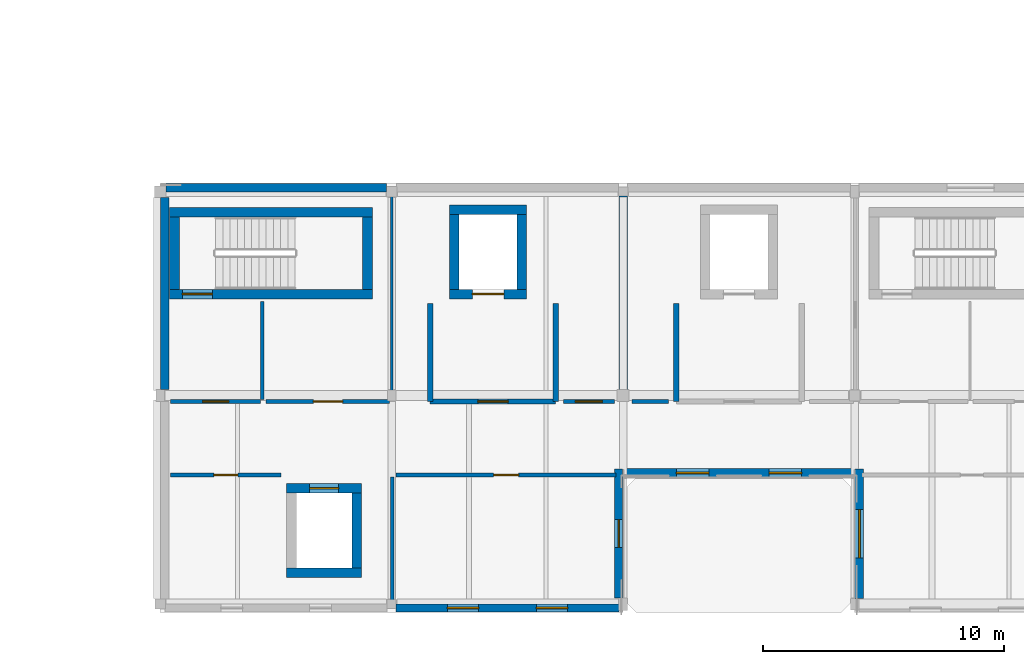
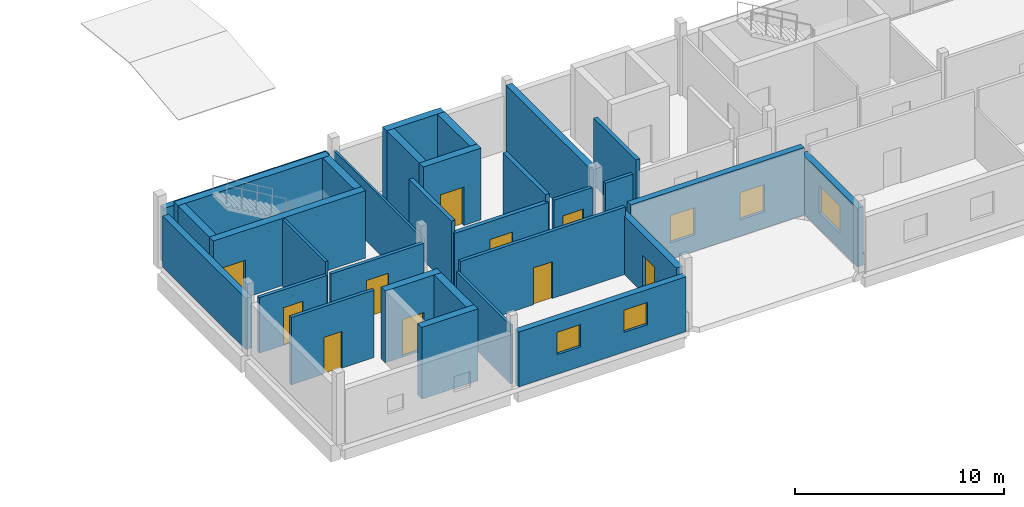
# One storey, part 14 of 23: 31 walls, 10 doors, 5 windows, 15 openings.
"""IFC4 building model written with IfcOpenShell, lengths in metres."""

from ifc_helpers import new_model, si_unit, direction, frame, frame_2d, origin, place, context, subcontext, project, spatial, rectangle, extrude, material, layer, layer_set, type_object, element, fill, save


model = new_model("IFC4")

# Units and contexts
model_context = context("Model", 3, precision=1e-05, world=origin(), true_north=direction((0.0, 1.0)))
body_context = subcontext(model_context, "Body", "Model", "MODEL_VIEW")
ifc_project = project(units=[si_unit("LENGTHUNIT", "METRE"), si_unit("AREAUNIT", "SQUARE_METRE"), si_unit("VOLUMEUNIT", "CUBIC_METRE"), si_unit("PLANEANGLEUNIT", "RADIAN"), si_unit("MASSUNIT", "GRAM", prefix="KILO")], contexts=[model_context])

# Site, building, storey
site_placement = place(None, origin())
site = spatial("IfcSite", under=ifc_project, at=site_placement, CompositionType="ELEMENT")
building_placement = place(site_placement, origin())
building = spatial("IfcBuilding", under=site, at=building_placement, Name="Birchvale Park Specialist Clinic", CompositionType="ELEMENT")
storey_placement = place(building_placement, frame((0.0, 0.0, 18.0)))
storey = spatial("IfcBuildingStorey", under=building, at=storey_placement, Name="L04", CompositionType="ELEMENT", Elevation=18.0)

# Wall, opening, door
ifc_material_1 = material(Name="Concrete C40/50", Category="concrete")
ifc_layer_1 = layer(ifc_material_1, 0.39990234375)
ifc_layer_set_1 = layer_set([ifc_layer_1], Name="Concrete C40/50")
wall_type_1 = type_object("IfcWallType", Name="WL-CW-120", PredefinedType="SHEAR", material=ifc_layer_set_1)
wall_1_placement = place(storey_placement, frame((61.800048828125, 30.0, 0.0), z_axis=(0.0, 0.0, 1.0), x_axis=(1.0, 0.0, 0.0)))
wall_1 = element("IfcWall", 1, at=wall_1_placement, inside=storey, type_object=wall_type_1, Name="L04 stair ST4 EI 120 enclosure wall (south)", PredefinedType="SHEAR", context=body_context, shape_type="SweptSolid", body=[
    extrude(rectangle(XDim=8.39990234375, YDim=0.39990234375, at=frame_2d((4.199951171875, 0.0))), origin(), (0.0, 0.0, 1.0), 3.93994140625),
])
opening_1_placement = place(wall_1_placement, frame((0.52001953125, 0.0, 0.0)))
opening_1 = element("IfcOpeningElement", 2, at=opening_1_placement, cuts=wall_1, Name="Opening ID-FD60", PredefinedType="OPENING", context=body_context, shape_type="SweptSolid", body=[
    extrude(rectangle(XDim=1.25, YDim=2.199951171875, at=frame_2d((0.625, 1.10009765625))), frame((0.0, 0.2099609375, 0.0), z_axis=(0.0, -1.0, 0.0), x_axis=(1.0, 0.0, 0.0)), (0.0, 0.0, 1.0), 0.419921875),
])
ifc_material_2 = material(Name="Solid-core birch veneer and anodised aluminium", Category="aluminium")
door_type_1 = type_object("IfcDoorType", Name="DR-ID-FD60", OperationType="NOTDEFINED", PredefinedType="DOOR", material=ifc_material_2)
door_1_placement = place(opening_1_placement, origin())
door_1 = element("IfcDoor", 3, at=door_1_placement, inside=storey, type_object=door_type_1, Name="L04 stair ST4 fire door", OperationType="SINGLE_SWING_LEFT", OverallHeight=2.199951171875, OverallWidth=1.25, PredefinedType="DOOR", context=body_context, shape_type="SweptSolid", body=[
    extrude(rectangle(XDim=1.25, YDim=2.199951171875, at=frame_2d((0.625, 1.10009765625))), frame((0.0, 0.02490234375, 0.0), z_axis=(0.0, -1.0, 0.0), x_axis=(1.0, 0.0, 0.0)), (0.0, 0.0, 1.0), 0.050048828125),
])
fill(opening_1, door_1)

# Walls
wall_2_placement = place(storey_placement, frame((70.199951171875, 33.39990234375, 0.0), z_axis=(0.0, 0.0, 1.0), x_axis=(-1.0, 0.0, 0.0)))
element("IfcWall", 4, at=wall_2_placement, inside=storey, type_object=wall_type_1, Name="L04 stair ST4 EI 120 enclosure wall (north)", PredefinedType="SHEAR", context=body_context, shape_type="SweptSolid", body=[
    extrude(rectangle(XDim=8.39990234375, YDim=0.39990234375, at=frame_2d((4.199951171875, 0.0))), origin(), (0.0, 0.0, 1.0), 3.93994140625),
])
for number, where, z_axis, x_axis, name in (
    (5, (62.0, 30.199951171875, 0.0), (0.0, 0.0, 1.0), (0.0, 1.0, 0.0), "L04 stair ST4 EI 120 enclosure wall (west)"),
    (6, (70.0, 33.199951171875, 0.0), (0.0, 0.0, 1.0), (0.0, -1.0, 0.0), "L04 stair ST4 EI 120 enclosure wall (east)"),
):
    element("IfcWall", number, at=place(storey_placement, frame(where, z_axis=z_axis, x_axis=x_axis)), inside=storey, type_object=wall_type_1, Name=name, PredefinedType="SHEAR", context=body_context, shape_type="SweptSolid", body=[
        extrude(rectangle(XDim=3.0, YDim=0.39990234375, at=frame_2d((1.5, 0.0))), origin(), (0.0, 0.0, 1.0), 3.93994140625),
    ])

# Wall, opening, door
wall_3_placement = place(storey_placement, frame((73.39990234375, 30.0, 0.0), z_axis=(0.0, 0.0, 1.0), x_axis=(1.0, 0.0, 0.0)))
wall_3 = element("IfcWall", 7, at=wall_3_placement, inside=storey, type_object=wall_type_1, Name="L04 lift LF1 shaft wall (south)", PredefinedType="SHEAR", context=body_context, shape_type="SweptSolid", body=[
    extrude(rectangle(XDim=3.2001953125, YDim=0.39990234375, at=frame_2d((1.60009765625, 0.0))), origin(), (0.0, 0.0, 1.0), 4.199951171875),
])
opening_2_placement = place(wall_3_placement, frame((0.949951171875, 0.0, 0.0)))
opening_2 = element("IfcOpeningElement", 8, at=opening_2_placement, cuts=wall_3, Name="Opening LD-02", PredefinedType="OPENING", context=body_context, shape_type="SweptSolid", body=[
    extrude(rectangle(XDim=1.300048828125, YDim=2.25, at=frame_2d((0.64990234375, 1.125))), frame((0.0, 0.2099609375, 0.0), z_axis=(0.0, -1.0, 0.0), x_axis=(1.0, 0.0, 0.0)), (0.0, 0.0, 1.0), 0.419921875),
])
door_type_2 = type_object("IfcDoorType", Name="DR-LD-02", OperationType="DOUBLE_DOOR_SLIDING", PredefinedType="DOOR", material=ifc_material_2)
door_2_placement = place(opening_2_placement, origin())
door_2 = element("IfcDoor", 9, at=door_2_placement, inside=storey, type_object=door_type_2, Name="L04 lift LF1 sliding landing door", OperationType="DOUBLE_DOOR_SLIDING", OverallHeight=2.25, OverallWidth=1.300048828125, PredefinedType="DOOR", context=body_context, shape_type="SweptSolid", body=[
    extrude(rectangle(XDim=1.300048828125, YDim=2.25, at=frame_2d((0.64990234375, 1.125))), frame((0.0, 0.02490234375, 0.0), z_axis=(0.0, -1.0, 0.0), x_axis=(1.0, 0.0, 0.0)), (0.0, 0.0, 1.0), 0.050048828125),
])
fill(opening_2, door_2)

# Walls
wall_4_placement = place(storey_placement, frame((76.60009765625, 33.5, 0.0), z_axis=(0.0, 0.0, 1.0), x_axis=(-1.0, 0.0, 0.0)))
element("IfcWall", 10, at=wall_4_placement, inside=storey, type_object=wall_type_1, Name="L04 lift LF1 shaft wall (north)", PredefinedType="SHEAR", context=body_context, shape_type="SweptSolid", body=[
    extrude(rectangle(XDim=3.2001953125, YDim=0.39990234375, at=frame_2d((1.60009765625, 0.0))), origin(), (0.0, 0.0, 1.0), 4.199951171875),
])
for number, where, z_axis, x_axis, name in (
    (11, (73.60009765625, 30.199951171875, 0.0), (0.0, 0.0, 1.0), (0.0, 1.0, 0.0), "L04 lift LF1 shaft wall (west)"),
    (12, (76.39990234375, 33.300048828125, 0.0), (0.0, 0.0, 1.0), (0.0, -1.0, 0.0), "L04 lift LF1 shaft wall (east)"),
    (13, (66.64990234375, 18.449951171875, 0.0), (0.0, 0.0, 1.0), (1.0, 0.0, 0.0), "L04 lift LP1 shaft wall (south)"),
):
    element("IfcWall", number, at=place(storey_placement, frame(where, z_axis=z_axis, x_axis=x_axis)), inside=storey, type_object=wall_type_1, Name=name, PredefinedType="SHEAR", context=body_context, shape_type="SweptSolid", body=[
        extrude(rectangle(XDim=3.10009765625, YDim=0.39990234375, at=frame_2d((1.550048828125, 0.0))), origin(), (0.0, 0.0, 1.0), 4.199951171875),
    ])

# Wall, opening, door
wall_5_placement = place(storey_placement, frame((69.75, 21.949951171875, 0.0), z_axis=(0.0, 0.0, 1.0), x_axis=(-1.0, 0.0, 0.0)))
wall_5 = element("IfcWall", 14, at=wall_5_placement, inside=storey, type_object=wall_type_1, Name="L04 lift LP1 shaft wall (north)", PredefinedType="SHEAR", context=body_context, shape_type="SweptSolid", body=[
    extrude(rectangle(XDim=3.10009765625, YDim=0.39990234375, at=frame_2d((1.550048828125, 0.0))), origin(), (0.0, 0.0, 1.0), 4.199951171875),
])
opening_3_placement = place(wall_5_placement, frame((0.949951171875, 0.0, 0.0)))
opening_3 = element("IfcOpeningElement", 15, at=opening_3_placement, cuts=wall_5, Name="Opening LD-01", PredefinedType="OPENING", context=body_context, shape_type="SweptSolid", body=[
    extrude(rectangle(XDim=1.199951171875, YDim=2.199951171875, at=frame_2d((0.60009765625, 1.10009765625))), frame((0.0, 0.2099609375, 0.0), z_axis=(0.0, -1.0, 0.0), x_axis=(1.0, 0.0, 0.0)), (0.0, 0.0, 1.0), 0.419921875),
])
door_type_3 = type_object("IfcDoorType", Name="DR-LD-01", OperationType="DOUBLE_DOOR_SLIDING", PredefinedType="DOOR", material=ifc_material_2)
door_3_placement = place(opening_3_placement, origin())
door_3 = element("IfcDoor", 16, at=door_3_placement, inside=storey, type_object=door_type_3, Name="L04 lift LP1 sliding landing door", OperationType="DOUBLE_DOOR_SLIDING", OverallHeight=2.199951171875, OverallWidth=1.199951171875, PredefinedType="DOOR", context=body_context, shape_type="SweptSolid", body=[
    extrude(rectangle(XDim=1.199951171875, YDim=2.199951171875, at=frame_2d((0.60009765625, 1.10009765625))), frame((0.0, 0.02490234375, 0.0), z_axis=(0.0, -1.0, 0.0), x_axis=(1.0, 0.0, 0.0)), (0.0, 0.0, 1.0), 0.050048828125),
])
fill(opening_3, door_3)

# Wall
wall_6_placement = place(storey_placement, frame((69.550048828125, 21.75, 0.0), z_axis=(0.0, 0.0, 1.0), x_axis=(0.0, -1.0, 0.0)))
element("IfcWall", 17, at=wall_6_placement, inside=storey, type_object=wall_type_1, Name="L04 lift LP1 shaft wall (east)", PredefinedType="SHEAR", context=body_context, shape_type="SweptSolid", body=[
    extrude(rectangle(XDim=3.10009765625, YDim=0.39990234375, at=frame_2d((1.550048828125, 0.0))), origin(), (0.0, 0.0, 1.0), 4.199951171875),
])

# Wall, openings, windows
ifc_material_3 = material(Name="Lime-white mineral-rendered insulated masonry", Category="masonry")
ifc_layer_2 = layer(ifc_material_3, 0.340087890625)
ifc_layer_set_2 = layer_set([ifc_layer_2], Name="Lime-white mineral-rendered insulated masonry")
wall_type_2 = type_object("IfcWallType", Name="WL-EW-01", PredefinedType="STANDARD", material=ifc_layer_set_2)
wall_7_placement = place(storey_placement, frame((71.18505859375, 16.989990234375, 0.0), z_axis=(0.0, 0.0, 1.0), x_axis=(1.0, 0.0, 0.0)))
wall_7 = element("IfcWall", 18, at=wall_7_placement, inside=storey, type_object=wall_type_2, Name="V4 L04 exterior facade wall 275", PredefinedType="STANDARD", context=body_context, shape_type="SweptSolid", body=[
    extrude(rectangle(XDim=9.23486328125, YDim=0.340087890625, at=frame_2d((4.617431640625, 0.0))), origin(), (0.0, 0.0, 1.0), 3.205078125),
])
opening_4_placement = place(wall_7_placement, frame((2.12060546875, 0.0, 1.14990234375)))
opening_4 = element("IfcOpeningElement", 19, at=opening_4_placement, cuts=wall_7, Name="Opening W-SQ13", PredefinedType="OPENING", context=body_context, shape_type="SweptSolid", body=[
    extrude(rectangle(XDim=1.300048828125, YDim=1.300048828125, at=frame_2d((0.64990234375, 0.64990234375))), frame((0.0, 0.18017578125, 0.0), z_axis=(0.0, -1.0, 0.0), x_axis=(1.0, 0.0, 0.0)), (0.0, 0.0, 1.0), 0.360107421875),
])
opening_5_placement = place(wall_7_placement, frame((5.814453125, 0.0, 1.14990234375)))
opening_5 = element("IfcOpeningElement", 20, at=opening_5_placement, cuts=wall_7, Name="Opening W-SQ13", PredefinedType="OPENING", context=body_context, shape_type="SweptSolid", body=[
    extrude(rectangle(XDim=1.300048828125, YDim=1.300048828125, at=frame_2d((0.64990234375, 0.64990234375))), frame((0.0, 0.18017578125, 0.0), z_axis=(0.0, -1.0, 0.0), x_axis=(1.0, 0.0, 0.0)), (0.0, 0.0, 1.0), 0.360107421875),
])
ifc_material_4 = material(Name="Solar-control low-E double glazing", Category="glass")
window_type_1 = type_object("IfcWindowType", Name="WIN-W-SQ13", PartitioningType="SINGLE_PANEL", PredefinedType="WINDOW", material=ifc_material_4)
window_1_placement = place(opening_4_placement, origin())
window_1 = element("IfcWindow", 21, at=window_1_placement, inside=storey, type_object=window_type_1, Name="V4 L04 cased window 132", OverallHeight=1.300048828125, OverallWidth=1.300048828125, PartitioningType="SINGLE_PANEL", PredefinedType="WINDOW", context=body_context, shape_type="SweptSolid", body=[
    extrude(rectangle(XDim=1.300048828125, YDim=1.300048828125, at=frame_2d((0.64990234375, 0.64990234375))), frame((0.0, 0.030029296875, 0.0), z_axis=(0.0, -1.0, 0.0), x_axis=(1.0, 0.0, 0.0)), (0.0, 0.0, 1.0), 0.06005859375),
])
fill(opening_4, window_1)
window_2_placement = place(opening_5_placement, origin())
window_2 = element("IfcWindow", 22, at=window_2_placement, inside=storey, type_object=window_type_1, Name="V4 L04 cased window 133", OverallHeight=1.300048828125, OverallWidth=1.300048828125, PartitioningType="SINGLE_PANEL", PredefinedType="WINDOW", context=body_context, shape_type="SweptSolid", body=[
    extrude(rectangle(XDim=1.300048828125, YDim=1.300048828125, at=frame_2d((0.64990234375, 0.64990234375))), frame((0.0, 0.030029296875, 0.0), z_axis=(0.0, -1.0, 0.0), x_axis=(1.0, 0.0, 0.0)), (0.0, 0.0, 1.0), 0.06005859375),
])
fill(opening_5, window_2)

# Wall, opening, door
wall_8_placement = place(storey_placement, frame((80.409912109375, 17.405029296875, 0.0), z_axis=(0.0, 0.0, 1.0), x_axis=(0.0, 1.0, 0.0)))
wall_8 = element("IfcWall", 23, at=wall_8_placement, inside=storey, type_object=wall_type_2, Name="V4 L04 exterior facade wall 276", PredefinedType="STANDARD", context=body_context, shape_type="SweptSolid", body=[
    extrude(rectangle(XDim=5.3349609375, YDim=0.340087890625, at=frame_2d((2.66748046875, 0.0))), origin(), (0.0, 0.0, 1.0), 3.425048828125),
])
opening_6_placement = place(wall_8_placement, frame((2.092529296875, 0.0, 0.0)))
opening_6 = element("IfcOpeningElement", 24, at=opening_6_placement, cuts=wall_8, Name="Opening ED-05", PredefinedType="OPENING", context=body_context, shape_type="SweptSolid", body=[
    extrude(rectangle(XDim=1.14990234375, YDim=2.199951171875, at=frame_2d((0.574951171875, 1.10009765625))), frame((0.0, 0.18017578125, 0.0), z_axis=(0.0, -1.0, 0.0), x_axis=(1.0, 0.0, 0.0)), (0.0, 0.0, 1.0), 0.360107421875),
])
ifc_material_5 = material(Name="Powder-coated aluminium and laminated safety glass", Category="aluminium")
door_type_4 = type_object("IfcDoorType", Name="DR-ED-05", OperationType="NOTDEFINED", PredefinedType="DOOR", material=ifc_material_5)
door_4_placement = place(opening_6_placement, frame((1.14990234375, 0.0, 0.0), z_axis=(0.0, 0.0, 1.0), x_axis=(-1.0, 0.0, 0.0)))
door_4 = element("IfcDoor", 25, at=door_4_placement, inside=storey, type_object=door_type_4, Name="V4 L04 accessible roof terrace door 40", OperationType="SINGLE_SWING_LEFT", OverallHeight=2.199951171875, OverallWidth=1.14990234375, PredefinedType="DOOR", context=body_context, shape_type="SweptSolid", body=[
    extrude(rectangle(XDim=1.14990234375, YDim=2.199951171875, at=frame_2d((0.574951171875, 1.10009765625))), frame((0.0, 0.02490234375, 0.0), z_axis=(0.0, -1.0, 0.0), x_axis=(1.0, 0.0, 0.0)), (0.0, 0.0, 1.0), 0.050048828125),
])
fill(opening_6, door_4)

# Wall, openings, windows
wall_9_placement = place(storey_placement, frame((80.60009765625, 22.590087890625, 0.0), z_axis=(0.0, 0.0, 1.0), x_axis=(1.0, 0.0, 0.0)))
wall_9 = element("IfcWall", 26, at=wall_9_placement, inside=storey, type_object=wall_type_2, Name="V4 L04 exterior facade wall 277", PredefinedType="STANDARD", context=body_context, shape_type="SweptSolid", body=[
    extrude(rectangle(XDim=9.599853515625, YDim=0.340087890625, at=frame_2d((4.7998046875, 0.0))), origin(), (0.0, 0.0, 1.0), 3.93994140625),
])
opening_7_placement = place(wall_9_placement, frame((2.205078125, 0.0, 0.949951171875)))
opening_7 = element("IfcOpeningElement", 27, at=opening_7_placement, cuts=wall_9, Name="Opening W-CL02", PredefinedType="OPENING", context=body_context, shape_type="SweptSolid", body=[
    extrude(rectangle(XDim=1.35009765625, YDim=1.60009765625, at=frame_2d((0.675048828125, 0.800048828125))), frame((0.0, 0.18017578125, 0.0), z_axis=(0.0, -1.0, 0.0), x_axis=(1.0, 0.0, 0.0)), (0.0, 0.0, 1.0), 0.360107421875),
])
opening_8_placement = place(wall_9_placement, frame((6.044921875, 0.0, 0.949951171875)))
opening_8 = element("IfcOpeningElement", 28, at=opening_8_placement, cuts=wall_9, Name="Opening W-CL02", PredefinedType="OPENING", context=body_context, shape_type="SweptSolid", body=[
    extrude(rectangle(XDim=1.35009765625, YDim=1.60009765625, at=frame_2d((0.675048828125, 0.800048828125))), frame((0.0, 0.18017578125, 0.0), z_axis=(0.0, -1.0, 0.0), x_axis=(1.0, 0.0, 0.0)), (0.0, 0.0, 1.0), 0.360107421875),
])
window_type_2 = type_object("IfcWindowType", Name="WIN-W-CL02", PartitioningType="SINGLE_PANEL", PredefinedType="WINDOW", material=ifc_material_4)
window_3_placement = place(opening_7_placement, origin())
window_3 = element("IfcWindow", 29, at=window_3_placement, inside=storey, type_object=window_type_2, Name="V4 L04 cased window 134", OverallHeight=1.60009765625, OverallWidth=1.35009765625, PartitioningType="SINGLE_PANEL", PredefinedType="WINDOW", context=body_context, shape_type="SweptSolid", body=[
    extrude(rectangle(XDim=1.35009765625, YDim=1.60009765625, at=frame_2d((0.675048828125, 0.800048828125))), frame((0.0, 0.030029296875, 0.0), z_axis=(0.0, -1.0, 0.0), x_axis=(1.0, 0.0, 0.0)), (0.0, 0.0, 1.0), 0.06005859375),
])
fill(opening_7, window_3)
window_4_placement = place(opening_8_placement, origin())
window_4 = element("IfcWindow", 30, at=window_4_placement, inside=storey, type_object=window_type_2, Name="V4 L04 cased window 135", OverallHeight=1.60009765625, OverallWidth=1.35009765625, PartitioningType="SINGLE_PANEL", PredefinedType="WINDOW", context=body_context, shape_type="SweptSolid", body=[
    extrude(rectangle(XDim=1.35009765625, YDim=1.60009765625, at=frame_2d((0.675048828125, 0.800048828125))), frame((0.0, 0.030029296875, 0.0), z_axis=(0.0, -1.0, 0.0), x_axis=(1.0, 0.0, 0.0)), (0.0, 0.0, 1.0), 0.06005859375),
])
fill(opening_8, window_4)

# Wall, opening, window
wall_10_placement = place(storey_placement, frame((90.389892578125, 22.739990234375, 0.0), z_axis=(0.0, 0.0, 1.0), x_axis=(0.0, -1.0, 0.0)))
wall_10 = element("IfcWall", 31, at=wall_10_placement, inside=storey, type_object=wall_type_2, Name="V4 L04 exterior facade wall 278", PredefinedType="STANDARD", context=body_context, shape_type="SweptSolid", body=[
    extrude(rectangle(XDim=5.35498046875, YDim=0.340087890625, at=frame_2d((2.677490234375, 0.0))), origin(), (0.0, 0.0, 1.0), 3.425048828125),
])
opening_9_placement = place(wall_10_placement, frame((1.677490234375, 0.0, 0.949951171875)))
opening_9 = element("IfcOpeningElement", 32, at=opening_9_placement, cuts=wall_10, Name="Opening W-CL06", PredefinedType="OPENING", context=body_context, shape_type="SweptSolid", body=[
    extrude(rectangle(XDim=2.0, YDim=1.60009765625, at=frame_2d((1.0, 0.800048828125))), frame((0.0, 0.18017578125, 0.0), z_axis=(0.0, -1.0, 0.0), x_axis=(1.0, 0.0, 0.0)), (0.0, 0.0, 1.0), 0.360107421875),
])
window_type_3 = type_object("IfcWindowType", Name="WIN-W-CL06", PartitioningType="SINGLE_PANEL", PredefinedType="WINDOW", material=ifc_material_4)
window_5_placement = place(opening_9_placement, origin())
window_5 = element("IfcWindow", 33, at=window_5_placement, inside=storey, type_object=window_type_3, Name="V4 L04 cased window 136", OverallHeight=1.60009765625, OverallWidth=2.0, PartitioningType="SINGLE_PANEL", PredefinedType="WINDOW", context=body_context, shape_type="SweptSolid", body=[
    extrude(rectangle(XDim=2.0, YDim=1.60009765625, at=frame_2d((1.0, 0.800048828125))), frame((0.0, 0.030029296875, 0.0), z_axis=(0.0, -1.0, 0.0), x_axis=(1.0, 0.0, 0.0)), (0.0, 0.0, 1.0), 0.06005859375),
])
fill(opening_9, window_5)

# Walls
wall_11_placement = place(storey_placement, frame((70.7900390625, 34.409912109375, 0.0), z_axis=(0.0, 0.0, 1.0), x_axis=(-1.0, 0.0, 0.0)))
element("IfcWall", 34, at=wall_11_placement, inside=storey, type_object=wall_type_2, Name="V4 L04 exterior facade wall 287", PredefinedType="STANDARD", context=body_context, shape_type="SweptSolid", body=[
    extrude(rectangle(XDim=9.155029296875, YDim=0.340087890625, at=frame_2d((4.57763671875, 0.0))), origin(), (0.0, 0.0, 1.0), 3.205078125),
])
wall_12_placement = place(storey_placement, frame((61.590087890625, 34.014892578125, 0.0), z_axis=(0.0, 0.0, 1.0), x_axis=(0.0, -1.0, 0.0)))
element("IfcWall", 35, at=wall_12_placement, inside=storey, type_object=wall_type_2, Name="V4 L04 exterior facade wall 288", PredefinedType="STANDARD", context=body_context, shape_type="SweptSolid", body=[
    extrude(rectangle(XDim=7.969970703125, YDim=0.340087890625, at=frame_2d((3.98486328125, 0.0))), origin(), (0.0, 0.0, 1.0), 2.985107421875),
])
ifc_material_6 = material(Name="Acoustic gypsum board on metal framing")
ifc_layer_3 = layer(ifc_material_6, 0.139892578125)
ifc_layer_set_3 = layer_set([ifc_layer_3], Name="Acoustic gypsum board on metal framing")
wall_type_3 = type_object("IfcWallType", Name="WL-IW-03", PredefinedType="PARTITIONING", material=ifc_layer_set_3)
wall_13_placement = place(storey_placement, frame((71.030029296875, 22.419921875, 0.0), z_axis=(0.0, 0.0, 1.0), x_axis=(0.0, -1.0, 0.0)))
element("IfcWall", 36, at=wall_13_placement, inside=storey, type_object=wall_type_3, Name="V4 L04 clinical partition 549", PredefinedType="PARTITIONING", context=body_context, shape_type="SweptSolid", body=[
    extrude(rectangle(XDim=5.179931640625, YDim=0.139892578125, at=frame_2d((2.58984375, 0.0))), origin(), (0.0, 0.0, 1.0), 3.425048828125),
])
wall_14_placement = place(storey_placement, frame((65.640869140625, 29.699951171875, 0.0), z_axis=(0.0, 0.0, 1.0), x_axis=(0.0, -1.0, 0.0)))
element("IfcWall", 37, at=wall_14_placement, inside=storey, type_object=wall_type_3, Name="V4 L04 clinical partition 554", PredefinedType="PARTITIONING", context=body_context, shape_type="SweptSolid", body=[
    extrude(rectangle(XDim=4.070068359375, YDim=0.139892578125, at=frame_2d((2.03515625, 0.0))), origin(), (0.0, 0.0, 1.0), 3.93994140625),
])
ifc_layer_4 = layer(ifc_material_6, 0.114990234375)
ifc_layer_set_4 = layer_set([ifc_layer_4], Name="Acoustic gypsum board on metal framing")
wall_type_4 = type_object("IfcWallType", Name="WL-IW-05", PredefinedType="PARTITIONING", material=ifc_layer_set_4)
wall_15_placement = place(storey_placement, frame((71.0, 34.159912109375, 0.0), z_axis=(0.0, 0.0, 1.0), x_axis=(0.0, -1.0, 0.0)))
element("IfcWall", 38, at=wall_15_placement, inside=storey, type_object=wall_type_4, Name="V4 L04 clinical partition 556", PredefinedType="PARTITIONING", context=body_context, shape_type="SweptSolid", body=[
    extrude(rectangle(XDim=8.530029296875, YDim=0.114990234375, at=frame_2d((4.26513671875, 0.0))), origin(), (0.0, 0.0, 1.0), 3.425048828125),
])
ifc_layer_5 = layer(ifc_material_6, 0.219970703125)
ifc_layer_set_5 = layer_set([ifc_layer_5], Name="Acoustic gypsum board on metal framing")
wall_type_5 = type_object("IfcWallType", Name="WL-IW-120", PredefinedType="PARTITIONING", material=ifc_layer_set_5)
wall_16_placement = place(storey_placement, frame((72.60009765625, 29.60009765625, 0.0), z_axis=(0.0, 0.0, 1.0), x_axis=(0.0, -1.0, 0.0)))
element("IfcWall", 39, at=wall_16_placement, inside=storey, type_object=wall_type_5, Name="L04 firefighting lift lobby K4 EI 120 wall (west)", PredefinedType="PARTITIONING", context=body_context, shape_type="SweptSolid", body=[
    extrude(rectangle(XDim=4.050048828125, YDim=0.219970703125, at=frame_2d((2.02490234375, 0.0))), origin(), (0.0, 0.0, 1.0), 3.93994140625),
])

# Wall, opening, door
wall_17_placement = place(storey_placement, frame((72.60009765625, 25.550048828125, 0.0), z_axis=(0.0, 0.0, 1.0), x_axis=(1.0, 0.0, 0.0)))
wall_17 = element("IfcWall", 40, at=wall_17_placement, inside=storey, type_object=wall_type_5, Name="L04 firefighting lift lobby K4 EI 120 wall (south)", PredefinedType="PARTITIONING", context=body_context, shape_type="SweptSolid", body=[
    extrude(rectangle(XDim=5.199951171875, YDim=0.219970703125, at=frame_2d((2.60009765625, 0.0))), origin(), (0.0, 0.0, 1.0), 3.2451171875),
])
opening_10_placement = place(wall_17_placement, frame((1.97509765625, 0.0, 0.0)))
opening_10 = element("IfcOpeningElement", 41, at=opening_10_placement, cuts=wall_17, Name="Opening ID-FD60", PredefinedType="OPENING", context=body_context, shape_type="SweptSolid", body=[
    extrude(rectangle(XDim=1.25, YDim=2.199951171875, at=frame_2d((0.625, 1.10009765625))), frame((0.0, 0.1201171875, 0.0), z_axis=(0.0, -1.0, 0.0), x_axis=(1.0, 0.0, 0.0)), (0.0, 0.0, 1.0), 0.239990234375),
])
door_5_placement = place(opening_10_placement, origin())
door_5 = element("IfcDoor", 42, at=door_5_placement, inside=storey, type_object=door_type_1, Name="L04 firefighting lobby K4 fire door", OperationType="SINGLE_SWING_LEFT", OverallHeight=2.199951171875, OverallWidth=1.25, PredefinedType="DOOR", context=body_context, shape_type="SweptSolid", body=[
    extrude(rectangle(XDim=1.25, YDim=2.199951171875, at=frame_2d((0.625, 1.10009765625))), frame((0.0, 0.02490234375, 0.0), z_axis=(0.0, -1.0, 0.0), x_axis=(1.0, 0.0, 0.0)), (0.0, 0.0, 1.0), 0.050048828125),
])
fill(opening_10, door_5)

# Walls
wall_18_placement = place(storey_placement, frame((77.800048828125, 25.550048828125, 0.0), z_axis=(0.0, 0.0, 1.0), x_axis=(0.0, 1.0, 0.0)))
element("IfcWall", 43, at=wall_18_placement, inside=storey, type_object=wall_type_5, Name="L04 firefighting lift lobby K4 EI 120 wall (east)", PredefinedType="PARTITIONING", context=body_context, shape_type="SweptSolid", body=[
    extrude(rectangle(XDim=4.050048828125, YDim=0.219970703125, at=frame_2d((2.02490234375, 0.0))), origin(), (0.0, 0.0, 1.0), 3.6630859375),
])
wall_19_placement = place(storey_placement, frame((82.800048828125, 29.60009765625, 0.0), z_axis=(0.0, 0.0, 1.0), x_axis=(0.0, -1.0, 0.0)))
element("IfcWall", 44, at=wall_19_placement, inside=storey, type_object=wall_type_5, Name="L04 firefighting lift lobby K5 EI 120 wall (west)", PredefinedType="PARTITIONING", context=body_context, shape_type="SweptSolid", body=[
    extrude(rectangle(XDim=4.050048828125, YDim=0.219970703125, at=frame_2d((2.02490234375, 0.0))), origin(), (0.0, 0.0, 1.0), 3.93994140625),
])

# Wall, opening, door
ifc_layer_6 = layer(ifc_material_6, 0.179931640625)
ifc_layer_set_6 = layer_set([ifc_layer_6], Name="Acoustic gypsum board on metal framing")
wall_type_6 = type_object("IfcWallType", Name="WL-IW-60", PredefinedType="PARTITIONING", material=ifc_layer_set_6)
wall_20_placement = place(storey_placement, frame((61.840087890625, 22.5, 0.0), z_axis=(0.0, 0.0, 1.0), x_axis=(1.0, 0.0, 0.0)))
wall_20 = element("IfcWall", 45, at=wall_20_placement, inside=storey, type_object=wall_type_6, Name="V4 L04 clinical partition 548", PredefinedType="PARTITIONING", context=body_context, shape_type="SweptSolid", body=[
    extrude(rectangle(XDim=4.579833984375, YDim=0.179931640625, at=frame_2d((2.2900390625, 0.0))), origin(), (0.0, 0.0, 1.0), 3.93994140625),
])
opening_11_placement = place(wall_20_placement, frame((1.7900390625, 0.0, 0.0)))
opening_11 = element("IfcOpeningElement", 46, at=opening_11_placement, cuts=wall_20, Name="Opening ID-01", PredefinedType="OPENING", context=body_context, shape_type="SweptSolid", body=[
    extrude(rectangle(XDim=1.0, YDim=2.14990234375, at=frame_2d((0.5, 1.074951171875))), frame((0.0, 0.10009765625, 0.0), z_axis=(0.0, -1.0, 0.0), x_axis=(1.0, 0.0, 0.0)), (0.0, 0.0, 1.0), 0.199951171875),
])
door_type_5 = type_object("IfcDoorType", Name="DR-ID-01", OperationType="NOTDEFINED", PredefinedType="DOOR", material=ifc_material_2)
door_6_placement = place(opening_11_placement, origin())
door_6 = element("IfcDoor", 47, at=door_6_placement, inside=storey, type_object=door_type_5, Name="L04 Pain-Management Consultation Clinic door", OperationType="SINGLE_SWING_RIGHT", OverallHeight=2.14990234375, OverallWidth=1.0, PredefinedType="DOOR", context=body_context, shape_type="SweptSolid", body=[
    extrude(rectangle(XDim=1.0, YDim=2.14990234375, at=frame_2d((0.5, 1.074951171875))), frame((0.0, 0.02490234375, 0.0), z_axis=(0.0, -1.0, 0.0), x_axis=(1.0, 0.0, 0.0)), (0.0, 0.0, 1.0), 0.050048828125),
])
fill(opening_11, door_6)

wall_21_placement = place(storey_placement, frame((71.18994140625, 22.5, 0.0), z_axis=(0.0, 0.0, 1.0), x_axis=(1.0, 0.0, 0.0)))
wall_21 = element("IfcWall", 48, at=wall_21_placement, inside=storey, type_object=wall_type_6, Name="V4 L04 clinical partition 550", PredefinedType="PARTITIONING", context=body_context, shape_type="SweptSolid", body=[
    extrude(rectangle(XDim=9.110107421875, YDim=0.179931640625, at=frame_2d((4.55517578125, 0.0))), origin(), (0.0, 0.0, 1.0), 3.93994140625),
])
opening_12_placement = place(wall_21_placement, frame((4.034912109375, 0.0, 0.0)))
opening_12 = element("IfcOpeningElement", 49, at=opening_12_placement, cuts=wall_21, Name="Opening ID-02", PredefinedType="OPENING", context=body_context, shape_type="SweptSolid", body=[
    extrude(rectangle(XDim=1.0400390625, YDim=2.14990234375, at=frame_2d((0.52001953125, 1.074951171875))), frame((0.0, 0.10009765625, 0.0), z_axis=(0.0, -1.0, 0.0), x_axis=(1.0, 0.0, 0.0)), (0.0, 0.0, 1.0), 0.199951171875),
])
door_type_6 = type_object("IfcDoorType", Name="DR-ID-02", OperationType="NOTDEFINED", PredefinedType="DOOR", material=ifc_material_2)
door_7_placement = place(opening_12_placement, origin())
door_7 = element("IfcDoor", 50, at=door_7_placement, inside=storey, type_object=door_type_6, Name="L04 Rheumatology Outpatient Clinic door", OperationType="SINGLE_SWING_LEFT", OverallHeight=2.14990234375, OverallWidth=1.0400390625, PredefinedType="DOOR", context=body_context, shape_type="SweptSolid", body=[
    extrude(rectangle(XDim=1.0400390625, YDim=2.14990234375, at=frame_2d((0.52001953125, 1.074951171875))), frame((0.0, 0.02490234375, 0.0), z_axis=(0.0, -1.0, 0.0), x_axis=(1.0, 0.0, 0.0)), (0.0, 0.0, 1.0), 0.050048828125),
])
fill(opening_12, door_7)

wall_22_placement = place(storey_placement, frame((65.560791015625, 25.550048828125, 0.0), z_axis=(0.0, 0.0, 1.0), x_axis=(-1.0, 0.0, 0.0)))
wall_22 = element("IfcWall", 51, at=wall_22_placement, inside=storey, type_object=wall_type_6, Name="V4 L04 clinical partition 555", PredefinedType="PARTITIONING", context=body_context, shape_type="SweptSolid", body=[
    extrude(rectangle(XDim=3.720703125, YDim=0.179931640625, at=frame_2d((1.8603515625, 0.0))), origin(), (0.0, 0.0, 1.0), 3.2451171875),
])
opening_13_placement = place(wall_22_placement, frame((1.3203125, 0.0, 0.0)))
opening_13 = element("IfcOpeningElement", 52, at=opening_13_placement, cuts=wall_22, Name="Opening ID-03", PredefinedType="OPENING", context=body_context, shape_type="SweptSolid", body=[
    extrude(rectangle(XDim=1.080078125, YDim=2.199951171875, at=frame_2d((0.5400390625, 1.10009765625))), frame((0.0, 0.10009765625, 0.0), z_axis=(0.0, -1.0, 0.0), x_axis=(1.0, 0.0, 0.0)), (0.0, 0.0, 1.0), 0.199951171875),
])
door_type_7 = type_object("IfcDoorType", Name="DR-ID-03", OperationType="NOTDEFINED", PredefinedType="DOOR", material=ifc_material_2)
door_8_placement = place(opening_13_placement, origin())
door_8 = element("IfcDoor", 53, at=door_8_placement, inside=storey, type_object=door_type_7, Name="L04 Accessible Patient WC door", OperationType="SINGLE_SWING_RIGHT", OverallHeight=2.199951171875, OverallWidth=1.080078125, PredefinedType="DOOR", context=body_context, shape_type="SweptSolid", body=[
    extrude(rectangle(XDim=1.080078125, YDim=2.199951171875, at=frame_2d((0.5400390625, 1.10009765625))), frame((0.0, 0.02490234375, 0.0), z_axis=(0.0, -1.0, 0.0), x_axis=(1.0, 0.0, 0.0)), (0.0, 0.0, 1.0), 0.050048828125),
])
fill(opening_13, door_8)

wall_23_placement = place(storey_placement, frame((70.919921875, 25.550048828125, 0.0), z_axis=(0.0, 0.0, 1.0), x_axis=(-1.0, 0.0, 0.0)))
wall_23 = element("IfcWall", 54, at=wall_23_placement, inside=storey, type_object=wall_type_6, Name="V4 L04 clinical partition 557", PredefinedType="PARTITIONING", context=body_context, shape_type="SweptSolid", body=[
    extrude(rectangle(XDim=5.119140625, YDim=0.179931640625, at=frame_2d((2.5595703125, 0.0))), origin(), (0.0, 0.0, 1.0), 3.2451171875),
])
opening_14_placement = place(wall_23_placement, frame((1.94970703125, 0.0, 0.0)))
opening_14 = element("IfcOpeningElement", 55, at=opening_14_placement, cuts=wall_23, Name="Opening ID-10", PredefinedType="OPENING", context=body_context, shape_type="SweptSolid", body=[
    extrude(rectangle(XDim=1.219970703125, YDim=2.179931640625, at=frame_2d((0.60986328125, 1.08984375))), frame((0.0, 0.10009765625, 0.0), z_axis=(0.0, -1.0, 0.0), x_axis=(1.0, 0.0, 0.0)), (0.0, 0.0, 1.0), 0.199951171875),
])
door_type_8 = type_object("IfcDoorType", Name="DR-ID-10", OperationType="NOTDEFINED", PredefinedType="DOOR", material=ifc_material_2)
door_9_placement = place(opening_14_placement, origin())
door_9 = element("IfcDoor", 56, at=door_9_placement, inside=storey, type_object=door_type_8, Name="L04 Pain-Management Consultation Clinic door", OperationType="SINGLE_SWING_LEFT", OverallHeight=2.179931640625, OverallWidth=1.219970703125, PredefinedType="DOOR", context=body_context, shape_type="SweptSolid", body=[
    extrude(rectangle(XDim=1.219970703125, YDim=2.179931640625, at=frame_2d((0.60986328125, 1.08984375))), frame((0.0, 0.02490234375, 0.0), z_axis=(0.0, -1.0, 0.0), x_axis=(1.0, 0.0, 0.0)), (0.0, 0.0, 1.0), 0.050048828125),
])
fill(opening_14, door_9)

wall_24_placement = place(storey_placement, frame((80.239990234375, 25.550048828125, 0.0), z_axis=(0.0, 0.0, 1.0), x_axis=(-1.0, 0.0, 0.0)))
wall_24 = element("IfcWall", 57, at=wall_24_placement, inside=storey, type_object=wall_type_6, Name="V4 L04 clinical partition 558", PredefinedType="PARTITIONING", context=body_context, shape_type="SweptSolid", body=[
    extrude(rectangle(XDim=2.119873046875, YDim=0.179931640625, at=frame_2d((1.06005859375, 0.0))), origin(), (0.0, 0.0, 1.0), 3.2451171875),
])
opening_15_placement = place(wall_24_placement, frame((0.5, 0.0, 0.0)))
opening_15 = element("IfcOpeningElement", 58, at=opening_15_placement, cuts=wall_24, Name="Opening ID-11", PredefinedType="OPENING", context=body_context, shape_type="SweptSolid", body=[
    extrude(rectangle(XDim=1.1201171875, YDim=2.159912109375, at=frame_2d((0.56005859375, 1.080078125))), frame((0.0, 0.10009765625, 0.0), z_axis=(0.0, -1.0, 0.0), x_axis=(1.0, 0.0, 0.0)), (0.0, 0.0, 1.0), 0.199951171875),
])
door_type_9 = type_object("IfcDoorType", Name="DR-ID-11", OperationType="NOTDEFINED", PredefinedType="DOOR", material=ifc_material_2)
door_10_placement = place(opening_15_placement, origin())
door_10 = element("IfcDoor", 59, at=door_10_placement, inside=storey, type_object=door_type_9, Name="L04 Pain-Management Consultation Clinic door", OperationType="SINGLE_SWING_RIGHT", OverallHeight=2.159912109375, OverallWidth=1.1201171875, PredefinedType="DOOR", context=body_context, shape_type="SweptSolid", body=[
    extrude(rectangle(XDim=1.1201171875, YDim=2.159912109375, at=frame_2d((0.56005859375, 1.080078125))), frame((0.0, 0.02490234375, 0.0), z_axis=(0.0, -1.0, 0.0), x_axis=(1.0, 0.0, 0.0)), (0.0, 0.0, 1.0), 0.050048828125),
])
fill(opening_15, door_10)

# Walls
wall_25_placement = place(storey_placement, frame((82.47998046875, 25.550048828125, 0.0), z_axis=(0.0, 0.0, 1.0), x_axis=(-1.0, 0.0, 0.0)))
element("IfcWall", 60, at=wall_25_placement, inside=storey, type_object=wall_type_6, Name="V4 L04 clinical partition 559", PredefinedType="PARTITIONING", context=body_context, shape_type="SweptSolid", body=[
    extrude(rectangle(XDim=1.52001953125, YDim=0.179931640625, at=frame_2d((0.760009765625, 0.0))), origin(), (0.0, 0.0, 1.0), 3.2451171875),
])
ifc_layer_7 = layer(ifc_material_1, 0.35009765625)
ifc_layer_set_7 = layer_set([ifc_layer_7], Name="Concrete C40/50")
wall_type_7 = type_object("IfcWallType", Name="WL-SW-350", PredefinedType="SHEAR", material=ifc_layer_set_7)
wall_26_placement = place(storey_placement, frame((80.60009765625, 26.050048828125, 0.0), z_axis=(0.0, 0.0, 1.0), x_axis=(0.0, 1.0, 0.0)))
element("IfcWall", 61, at=wall_26_placement, inside=storey, type_object=wall_type_7, Name="V4 L04 coupled seismic shear wall 9", PredefinedType="SHEAR", context=body_context, shape_type="SweptSolid", body=[
    extrude(rectangle(XDim=8.010009765625, YDim=0.35009765625, at=frame_2d((4.0048828125, 0.0))), origin(), (0.0, 0.0, 1.0), 3.93994140625),
])

save(model, "model.ifc")
